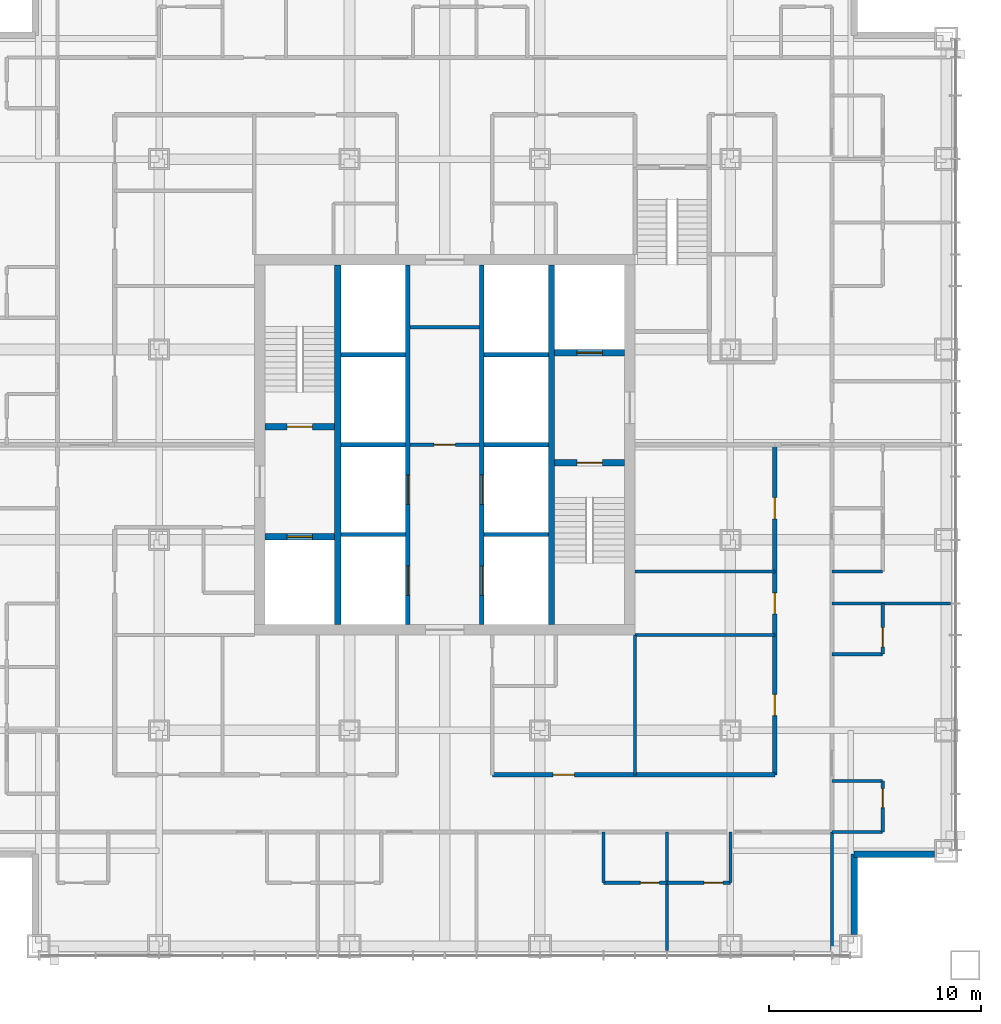
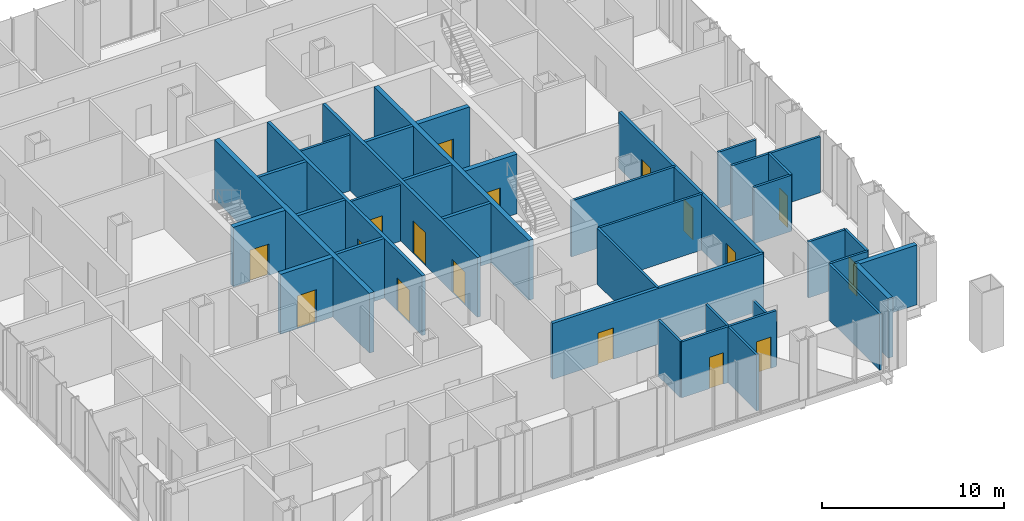
# One storey, part 10 of 16: 36 walls, 17 doors, 17 openings.
"""IFC4 building model written with IfcOpenShell, lengths in metres."""

from ifc_helpers import new_model, si_unit, direction, frame, frame_2d, origin, place, context, subcontext, project, spatial, rectangle, extrude, material, layer, layer_set, type_object, element, fill, save


model = new_model("IFC4")

# Units and contexts
model_context = context("Model", 3, precision=1e-05, world=origin(), true_north=direction((0.0, 1.0)))
body_context = subcontext(model_context, "Body", "Model", "MODEL_VIEW")
ifc_project = project(units=[si_unit("LENGTHUNIT", "METRE"), si_unit("AREAUNIT", "SQUARE_METRE"), si_unit("VOLUMEUNIT", "CUBIC_METRE"), si_unit("PLANEANGLEUNIT", "RADIAN"), si_unit("MASSUNIT", "GRAM", prefix="KILO")], contexts=[model_context])

# Site, building, storey
site_placement = place(None, origin())
site = spatial("IfcSite", under=ifc_project, at=site_placement, CompositionType="ELEMENT")
building_placement = place(site_placement, origin())
building = spatial("IfcBuilding", under=site, at=building_placement, Name="Malebo Sky Hospital", CompositionType="ELEMENT")
storey_placement = place(building_placement, frame((0.0, 0.0, 144.0)))
storey = spatial("IfcBuildingStorey", under=building, at=storey_placement, Name="L34", CompositionType="ELEMENT", Elevation=144.0)

# Wall, openings, doors
ifc_material_1 = material(Name="Concrete C80/95", Category="concrete")
ifc_layer_1 = layer(ifc_material_1, 0.199951171875)
ifc_layer_set_1 = layer_set([ifc_layer_1], Name="CORE INNER WALL 200")
wall_type_1 = type_object("IfcWallType", Name="CORE INNER WALL 200", PredefinedType="SHEAR", material=ifc_layer_set_1)
wall_1_placement = place(storey_placement, frame((58.25, 53.5, 0.0), z_axis=(0.0, 0.0, 1.0), x_axis=(0.0, 1.0, 0.0)))
wall_1 = element("IfcWall", 1, at=wall_1_placement, inside=storey, type_object=wall_type_1, Name="Core wall LW L34", PredefinedType="SHEAR", context=body_context, shape_type="SweptSolid", body=[
    extrude(rectangle(XDim=17.0, YDim=0.199951171875, at=frame_2d((8.5, 0.0))), origin(), (0.0, 0.0, 1.0), 4.0),
])
opening_1_placement = place(wall_1_placement, frame((1.375, 0.0, 0.0)))
opening_1 = element("IfcOpeningElement", 2, at=opening_1_placement, cuts=wall_1, Name="Opening LD1", PredefinedType="OPENING", context=body_context, shape_type="SweptSolid", body=[
    extrude(rectangle(XDim=1.39990234375, YDim=2.199951171875, at=frame_2d((0.699951171875, 1.10009765625))), frame((0.0, 0.10986328125, 0.0), z_axis=(0.0, -1.0, 0.0), x_axis=(1.0, 0.0, 0.0)), (0.0, 0.0, 1.0), 0.219970703125),
])
opening_2_placement = place(wall_1_placement, frame((5.675048828125, 0.0, 0.0)))
opening_2 = element("IfcOpeningElement", 3, at=opening_2_placement, cuts=wall_1, Name="Opening LD1", PredefinedType="OPENING", context=body_context, shape_type="SweptSolid", body=[
    extrude(rectangle(XDim=1.39990234375, YDim=2.199951171875, at=frame_2d((0.699951171875, 1.10009765625))), frame((0.0, 0.10986328125, 0.0), z_axis=(0.0, -1.0, 0.0), x_axis=(1.0, 0.0, 0.0)), (0.0, 0.0, 1.0), 0.219970703125),
])
ifc_material_2 = material(Name="Stainless steel sliding landing door", Category="steel")
door_type_1 = type_object("IfcDoorType", Name="LIFT LANDING DOOR 1400", OperationType="SLIDING_TO_LEFT", PredefinedType="DOOR", material=ifc_material_2)
door_1_placement = place(opening_1_placement, origin())
door_1 = element("IfcDoor", 4, at=door_1_placement, inside=storey, type_object=door_type_1, Name="Lift W1 landing door", OperationType="SLIDING_TO_LEFT", OverallHeight=2.199951171875, OverallWidth=1.39990234375, PredefinedType="DOOR", context=body_context, shape_type="SweptSolid", body=[
    extrude(rectangle(XDim=1.39990234375, YDim=2.199951171875, at=frame_2d((0.699951171875, 1.10009765625))), frame((0.0, 0.02490234375, 0.0), z_axis=(0.0, -1.0, 0.0), x_axis=(1.0, 0.0, 0.0)), (0.0, 0.0, 1.0), 0.050048828125),
])
fill(opening_1, door_1)
door_2_placement = place(opening_2_placement, origin())
door_2 = element("IfcDoor", 5, at=door_2_placement, inside=storey, type_object=door_type_1, Name="Lift W2 landing door", OperationType="SLIDING_TO_LEFT", OverallHeight=2.199951171875, OverallWidth=1.39990234375, PredefinedType="DOOR", context=body_context, shape_type="SweptSolid", body=[
    extrude(rectangle(XDim=1.39990234375, YDim=2.199951171875, at=frame_2d((0.699951171875, 1.10009765625))), frame((0.0, 0.02490234375, 0.0), z_axis=(0.0, -1.0, 0.0), x_axis=(1.0, 0.0, 0.0)), (0.0, 0.0, 1.0), 0.050048828125),
])
fill(opening_2, door_2)

wall_2_placement = place(storey_placement, frame((61.75, 53.5, 0.0), z_axis=(0.0, 0.0, 1.0), x_axis=(0.0, 1.0, 0.0)))
wall_2 = element("IfcWall", 6, at=wall_2_placement, inside=storey, type_object=wall_type_1, Name="Core wall LE L34", PredefinedType="SHEAR", context=body_context, shape_type="SweptSolid", body=[
    extrude(rectangle(XDim=17.0, YDim=0.199951171875, at=frame_2d((8.5, 0.0))), origin(), (0.0, 0.0, 1.0), 4.0),
])
opening_3_placement = place(wall_2_placement, frame((1.375, 0.0, 0.0)))
opening_3 = element("IfcOpeningElement", 7, at=opening_3_placement, cuts=wall_2, Name="Opening LD1", PredefinedType="OPENING", context=body_context, shape_type="SweptSolid", body=[
    extrude(rectangle(XDim=1.39990234375, YDim=2.199951171875, at=frame_2d((0.699951171875, 1.10009765625))), frame((0.0, 0.10986328125, 0.0), z_axis=(0.0, -1.0, 0.0), x_axis=(1.0, 0.0, 0.0)), (0.0, 0.0, 1.0), 0.219970703125),
])
opening_4_placement = place(wall_2_placement, frame((5.675048828125, 0.0, 0.0)))
opening_4 = element("IfcOpeningElement", 8, at=opening_4_placement, cuts=wall_2, Name="Opening LD1", PredefinedType="OPENING", context=body_context, shape_type="SweptSolid", body=[
    extrude(rectangle(XDim=1.39990234375, YDim=2.199951171875, at=frame_2d((0.699951171875, 1.10009765625))), frame((0.0, 0.10986328125, 0.0), z_axis=(0.0, -1.0, 0.0), x_axis=(1.0, 0.0, 0.0)), (0.0, 0.0, 1.0), 0.219970703125),
])
door_3_placement = place(opening_3_placement, origin())
door_3 = element("IfcDoor", 9, at=door_3_placement, inside=storey, type_object=door_type_1, Name="Lift E1 landing door", OperationType="SLIDING_TO_LEFT", OverallHeight=2.199951171875, OverallWidth=1.39990234375, PredefinedType="DOOR", context=body_context, shape_type="SweptSolid", body=[
    extrude(rectangle(XDim=1.39990234375, YDim=2.199951171875, at=frame_2d((0.699951171875, 1.10009765625))), frame((0.0, 0.02490234375, 0.0), z_axis=(0.0, -1.0, 0.0), x_axis=(1.0, 0.0, 0.0)), (0.0, 0.0, 1.0), 0.050048828125),
])
fill(opening_3, door_3)
door_4_placement = place(opening_4_placement, origin())
door_4 = element("IfcDoor", 10, at=door_4_placement, inside=storey, type_object=door_type_1, Name="Lift E2 landing door", OperationType="SLIDING_TO_LEFT", OverallHeight=2.199951171875, OverallWidth=1.39990234375, PredefinedType="DOOR", context=body_context, shape_type="SweptSolid", body=[
    extrude(rectangle(XDim=1.39990234375, YDim=2.199951171875, at=frame_2d((0.699951171875, 1.10009765625))), frame((0.0, 0.02490234375, 0.0), z_axis=(0.0, -1.0, 0.0), x_axis=(1.0, 0.0, 0.0)), (0.0, 0.0, 1.0), 0.050048828125),
])
fill(opening_4, door_4)

# Walls
for number, where, z_axis, x_axis, name in (
    (11, (55.10009765625, 57.75, 0.0), (0.0, 0.0, 1.0), (1.0, 0.0, 0.0), "Core wall SW0 L34"),
    (12, (61.85009765625, 57.75, 0.0), (0.0, 0.0, 1.0), (1.0, 0.0, 0.0), "Core wall SE0 L34"),
    (13, (55.10009765625, 62.0, 0.0), (0.0, 0.0, 1.0), (1.0, 0.0, 0.0), "Core wall SW1 L34"),
    (14, (61.85009765625, 62.0, 0.0), (0.0, 0.0, 1.0), (1.0, 0.0, 0.0), "Core wall SE1 L34"),
    (15, (55.10009765625, 66.25, 0.0), (0.0, 0.0, 1.0), (1.0, 0.0, 0.0), "Core wall SW2 L34"),
    (16, (61.85009765625, 66.25, 0.0), (0.0, 0.0, 1.0), (1.0, 0.0, 0.0), "Core wall SE2 L34"),
):
    element("IfcWall", number, at=place(storey_placement, frame(where, z_axis=z_axis, x_axis=x_axis)), inside=storey, type_object=wall_type_1, Name=name, PredefinedType="SHEAR", context=body_context, shape_type="SweptSolid", body=[
        extrude(rectangle(XDim=3.0498046875, YDim=0.199951171875, at=frame_2d((1.52490234375, 0.0))), origin(), (0.0, 0.0, 1.0), 4.0),
    ])
ifc_layer_2 = layer(ifc_material_1, 0.300048828125)
ifc_layer_set_2 = layer_set([ifc_layer_2], Name="CORE INNER WALL 300")
wall_type_2 = type_object("IfcWallType", Name="CORE INNER WALL 300", PredefinedType="SHEAR", material=ifc_layer_set_2)
for number, where, z_axis, x_axis, name in (
    (17, (54.949951171875, 53.5, 0.0), (0.0, 0.0, 1.0), (0.0, 1.0, 0.0), "Core wall XW L34"),
    (18, (65.050048828125, 53.5, 0.0), (0.0, 0.0, 1.0), (0.0, 1.0, 0.0), "Core wall XE L34"),
):
    element("IfcWall", number, at=place(storey_placement, frame(where, z_axis=z_axis, x_axis=x_axis)), inside=storey, type_object=wall_type_2, Name=name, PredefinedType="SHEAR", context=body_context, shape_type="SweptSolid", body=[
        extrude(rectangle(XDim=17.0, YDim=0.300048828125, at=frame_2d((8.5, 0.0))), origin(), (0.0, 0.0, 1.0), 4.0),
    ])

# Wall, opening, door
wall_3_placement = place(storey_placement, frame((51.5, 62.85009765625, 0.0), z_axis=(0.0, 0.0, 1.0), x_axis=(1.0, 0.0, 0.0)))
wall_3 = element("IfcWall", 19, at=wall_3_placement, inside=storey, type_object=wall_type_2, Name="Core wall W1 L34", PredefinedType="SHEAR", context=body_context, shape_type="SweptSolid", body=[
    extrude(rectangle(XDim=3.300048828125, YDim=0.300048828125, at=frame_2d((1.64990234375, 0.0))), origin(), (0.0, 0.0, 1.0), 4.0),
])
opening_5_placement = place(wall_3_placement, frame((1.050048828125, 0.0, 0.0)))
opening_5 = element("IfcOpeningElement", 20, at=opening_5_placement, cuts=wall_3, Name="Opening D08", PredefinedType="OPENING", context=body_context, shape_type="SweptSolid", body=[
    extrude(rectangle(XDim=1.199951171875, YDim=2.10009765625, at=frame_2d((0.60009765625, 1.050048828125))), frame((0.0, 0.159912109375, 0.0), z_axis=(0.0, -1.0, 0.0), x_axis=(1.0, 0.0, 0.0)), (0.0, 0.0, 1.0), 0.320068359375),
])
ifc_material_3 = material(Name="Hardwood-faced door leaf in steel frame", Category="steel")
door_type_2 = type_object("IfcDoorType", Name="STAIR DOOR 1200", OperationType="SINGLE_SWING_LEFT", PredefinedType="DOOR", material=ifc_material_3)
door_5_placement = place(opening_5_placement, origin())
door_5 = element("IfcDoor", 21, at=door_5_placement, inside=storey, type_object=door_type_2, Name="Stair S1 door", OperationType="SINGLE_SWING_LEFT", OverallHeight=2.10009765625, OverallWidth=1.199951171875, PredefinedType="DOOR", context=body_context, shape_type="SweptSolid", body=[
    extrude(rectangle(XDim=1.199951171875, YDim=2.10009765625, at=frame_2d((0.60009765625, 1.050048828125))), frame((0.0, 0.02490234375, 0.0), z_axis=(0.0, -1.0, 0.0), x_axis=(1.0, 0.0, 0.0)), (0.0, 0.0, 1.0), 0.050048828125),
])
fill(opening_5, door_5)

wall_4_placement = place(storey_placement, frame((51.5, 57.64990234375, 0.0), z_axis=(0.0, 0.0, 1.0), x_axis=(1.0, 0.0, 0.0)))
wall_4 = element("IfcWall", 22, at=wall_4_placement, inside=storey, type_object=wall_type_2, Name="Core wall W2 L34", PredefinedType="SHEAR", context=body_context, shape_type="SweptSolid", body=[
    extrude(rectangle(XDim=3.300048828125, YDim=0.300048828125, at=frame_2d((1.64990234375, 0.0))), origin(), (0.0, 0.0, 1.0), 4.0),
])
opening_6_placement = place(wall_4_placement, frame((1.050048828125, 0.0, 0.0)))
opening_6 = element("IfcOpeningElement", 23, at=opening_6_placement, cuts=wall_4, Name="Opening LD2", PredefinedType="OPENING", context=body_context, shape_type="SweptSolid", body=[
    extrude(rectangle(XDim=1.199951171875, YDim=2.199951171875, at=frame_2d((0.60009765625, 1.10009765625))), frame((0.0, 0.159912109375, 0.0), z_axis=(0.0, -1.0, 0.0), x_axis=(1.0, 0.0, 0.0)), (0.0, 0.0, 1.0), 0.320068359375),
])
door_type_3 = type_object("IfcDoorType", Name="FIRE-FIGHTING LIFT LANDING DOOR 1200", OperationType="SLIDING_TO_LEFT", PredefinedType="DOOR", material=ifc_material_2)
door_6_placement = place(opening_6_placement, origin())
door_6 = element("IfcDoor", 24, at=door_6_placement, inside=storey, type_object=door_type_3, Name="Lift FL1 landing door", OperationType="SLIDING_TO_LEFT", OverallHeight=2.199951171875, OverallWidth=1.199951171875, PredefinedType="DOOR", context=body_context, shape_type="SweptSolid", body=[
    extrude(rectangle(XDim=1.199951171875, YDim=2.199951171875, at=frame_2d((0.60009765625, 1.10009765625))), frame((0.0, 0.02490234375, 0.0), z_axis=(0.0, -1.0, 0.0), x_axis=(1.0, 0.0, 0.0)), (0.0, 0.0, 1.0), 0.050048828125),
])
fill(opening_6, door_6)

wall_5_placement = place(storey_placement, frame((65.199951171875, 61.14990234375, 0.0), z_axis=(0.0, 0.0, 1.0), x_axis=(1.0, 0.0, 0.0)))
wall_5 = element("IfcWall", 25, at=wall_5_placement, inside=storey, type_object=wall_type_2, Name="Core wall E1 L34", PredefinedType="SHEAR", context=body_context, shape_type="SweptSolid", body=[
    extrude(rectangle(XDim=3.300048828125, YDim=0.300048828125, at=frame_2d((1.64990234375, 0.0))), origin(), (0.0, 0.0, 1.0), 4.0),
])
opening_7_placement = place(wall_5_placement, frame((1.050048828125, 0.0, 0.0)))
opening_7 = element("IfcOpeningElement", 26, at=opening_7_placement, cuts=wall_5, Name="Opening D08", PredefinedType="OPENING", context=body_context, shape_type="SweptSolid", body=[
    extrude(rectangle(XDim=1.199951171875, YDim=2.10009765625, at=frame_2d((0.60009765625, 1.050048828125))), frame((0.0, 0.159912109375, 0.0), z_axis=(0.0, -1.0, 0.0), x_axis=(1.0, 0.0, 0.0)), (0.0, 0.0, 1.0), 0.320068359375),
])
door_7_placement = place(opening_7_placement, origin())
door_7 = element("IfcDoor", 27, at=door_7_placement, inside=storey, type_object=door_type_2, Name="Stair S2 door", OperationType="SINGLE_SWING_LEFT", OverallHeight=2.10009765625, OverallWidth=1.199951171875, PredefinedType="DOOR", context=body_context, shape_type="SweptSolid", body=[
    extrude(rectangle(XDim=1.199951171875, YDim=2.10009765625, at=frame_2d((0.60009765625, 1.050048828125))), frame((0.0, 0.02490234375, 0.0), z_axis=(0.0, -1.0, 0.0), x_axis=(1.0, 0.0, 0.0)), (0.0, 0.0, 1.0), 0.050048828125),
])
fill(opening_7, door_7)

wall_6_placement = place(storey_placement, frame((65.199951171875, 66.35009765625, 0.0), z_axis=(0.0, 0.0, 1.0), x_axis=(1.0, 0.0, 0.0)))
wall_6 = element("IfcWall", 28, at=wall_6_placement, inside=storey, type_object=wall_type_2, Name="Core wall E2 L34", PredefinedType="SHEAR", context=body_context, shape_type="SweptSolid", body=[
    extrude(rectangle(XDim=3.300048828125, YDim=0.300048828125, at=frame_2d((1.64990234375, 0.0))), origin(), (0.0, 0.0, 1.0), 4.0),
])
opening_8_placement = place(wall_6_placement, frame((1.050048828125, 0.0, 0.0)))
opening_8 = element("IfcOpeningElement", 29, at=opening_8_placement, cuts=wall_6, Name="Opening LD2", PredefinedType="OPENING", context=body_context, shape_type="SweptSolid", body=[
    extrude(rectangle(XDim=1.199951171875, YDim=2.199951171875, at=frame_2d((0.60009765625, 1.10009765625))), frame((0.0, 0.159912109375, 0.0), z_axis=(0.0, -1.0, 0.0), x_axis=(1.0, 0.0, 0.0)), (0.0, 0.0, 1.0), 0.320068359375),
])
door_8_placement = place(opening_8_placement, origin())
door_8 = element("IfcDoor", 30, at=door_8_placement, inside=storey, type_object=door_type_3, Name="Lift FL2 landing door", OperationType="SLIDING_TO_LEFT", OverallHeight=2.199951171875, OverallWidth=1.199951171875, PredefinedType="DOOR", context=body_context, shape_type="SweptSolid", body=[
    extrude(rectangle(XDim=1.199951171875, YDim=2.199951171875, at=frame_2d((0.60009765625, 1.10009765625))), frame((0.0, 0.02490234375, 0.0), z_axis=(0.0, -1.0, 0.0), x_axis=(1.0, 0.0, 0.0)), (0.0, 0.0, 1.0), 0.050048828125),
])
fill(opening_8, door_8)

ifc_material_4 = material(Name="Gypsum board on steel studs", Category="steel")
ifc_layer_3 = layer(ifc_material_4, 0.199951171875)
ifc_layer_set_3 = layer_set([ifc_layer_3], Name="CORRIDOR WALL 200")
wall_type_3 = type_object("IfcWallType", Name="CORRIDOR WALL 200", PredefinedType="PARTITIONING", material=ifc_layer_set_3)
wall_7_placement = place(storey_placement, frame((75.60009765625, 46.39990234375, 0.0), z_axis=(0.0, 0.0, 1.0), x_axis=(-1.0, 0.0, 0.0)))
wall_7 = element("IfcWall", 31, at=wall_7_placement, inside=storey, type_object=wall_type_3, Name="Corridor Wall 200 SCI1", PredefinedType="PARTITIONING", context=body_context, shape_type="SweptSolid", body=[
    extrude(rectangle(XDim=13.35009765625, YDim=0.199951171875, at=frame_2d((6.675048828125, 0.0))), origin(), (0.0, 0.0, 1.0), 3.75),
])
opening_9_placement = place(wall_7_placement, frame((9.47509765625, 0.0, 0.0)))
opening_9 = element("IfcOpeningElement", 32, at=opening_9_placement, cuts=wall_7, Name="Opening D03", PredefinedType="OPENING", context=body_context, shape_type="SweptSolid", body=[
    extrude(rectangle(XDim=1.0, YDim=2.10009765625, at=frame_2d((0.5, 1.050048828125))), frame((0.0, 0.10986328125, 0.0), z_axis=(0.0, -1.0, 0.0), x_axis=(1.0, 0.0, 0.0)), (0.0, 0.0, 1.0), 0.219970703125),
])
door_type_4 = type_object("IfcDoorType", Name="ROOM DOOR 1000", OperationType="SINGLE_SWING_LEFT", PredefinedType="DOOR", material=ifc_material_3)
door_9_placement = place(opening_9_placement, origin())
door_9 = element("IfcDoor", 33, at=door_9_placement, inside=storey, type_object=door_type_4, Name="Staff base door", OperationType="SINGLE_SWING_LEFT", OverallHeight=2.10009765625, OverallWidth=1.0, PredefinedType="DOOR", context=body_context, shape_type="SweptSolid", body=[
    extrude(rectangle(XDim=1.0, YDim=2.10009765625, at=frame_2d((0.5, 1.050048828125))), frame((0.0, 0.02490234375, 0.0), z_axis=(0.0, -1.0, 0.0), x_axis=(1.0, 0.0, 0.0)), (0.0, 0.0, 1.0), 0.050048828125),
])
fill(opening_9, door_9)

# Wall, openings, doors
wall_8_placement = place(storey_placement, frame((75.60009765625, 62.0, 0.0), z_axis=(0.0, 0.0, 1.0), x_axis=(0.0, -1.0, 0.0)))
wall_8 = element("IfcWall", 34, at=wall_8_placement, inside=storey, type_object=wall_type_3, Name="Corridor Wall 200 ECI2", PredefinedType="PARTITIONING", context=body_context, shape_type="SweptSolid", body=[
    extrude(rectangle(XDim=15.60009765625, YDim=0.199951171875, at=frame_2d((7.800048828125, 0.0))), origin(), (0.0, 0.0, 1.0), 3.75),
])
opening_10_placement = place(wall_8_placement, frame((2.5, 0.0, 0.0)))
opening_10 = element("IfcOpeningElement", 35, at=opening_10_placement, cuts=wall_8, Name="Opening D03", PredefinedType="OPENING", context=body_context, shape_type="SweptSolid", body=[
    extrude(rectangle(XDim=1.0, YDim=2.10009765625, at=frame_2d((0.5, 1.050048828125))), frame((0.0, 0.10986328125, 0.0), z_axis=(0.0, -1.0, 0.0), x_axis=(1.0, 0.0, 0.0)), (0.0, 0.0, 1.0), 0.219970703125),
])
opening_11_placement = place(wall_8_placement, frame((7.0, 0.0, 0.0)))
opening_11 = element("IfcOpeningElement", 36, at=opening_11_placement, cuts=wall_8, Name="Opening D03", PredefinedType="OPENING", context=body_context, shape_type="SweptSolid", body=[
    extrude(rectangle(XDim=1.0, YDim=2.10009765625, at=frame_2d((0.5, 1.050048828125))), frame((0.0, 0.10986328125, 0.0), z_axis=(0.0, -1.0, 0.0), x_axis=(1.0, 0.0, 0.0)), (0.0, 0.0, 1.0), 0.219970703125),
])
opening_12_placement = place(wall_8_placement, frame((11.800048828125, 0.0, 0.0)))
opening_12 = element("IfcOpeningElement", 37, at=opening_12_placement, cuts=wall_8, Name="Opening D03", PredefinedType="OPENING", context=body_context, shape_type="SweptSolid", body=[
    extrude(rectangle(XDim=1.0, YDim=2.10009765625, at=frame_2d((0.5, 1.050048828125))), frame((0.0, 0.10986328125, 0.0), z_axis=(0.0, -1.0, 0.0), x_axis=(1.0, 0.0, 0.0)), (0.0, 0.0, 1.0), 0.219970703125),
])
door_10_placement = place(opening_10_placement, origin())
door_10 = element("IfcDoor", 38, at=door_10_placement, inside=storey, type_object=door_type_4, Name="Consulting room door", OperationType="SINGLE_SWING_LEFT", OverallHeight=2.10009765625, OverallWidth=1.0, PredefinedType="DOOR", context=body_context, shape_type="SweptSolid", body=[
    extrude(rectangle(XDim=1.0, YDim=2.10009765625, at=frame_2d((0.5, 1.050048828125))), frame((0.0, 0.02490234375, 0.0), z_axis=(0.0, -1.0, 0.0), x_axis=(1.0, 0.0, 0.0)), (0.0, 0.0, 1.0), 0.050048828125),
])
fill(opening_10, door_10)
door_11_placement = place(opening_11_placement, origin())
door_11 = element("IfcDoor", 39, at=door_11_placement, inside=storey, type_object=door_type_4, Name="Linen store door", OperationType="SINGLE_SWING_LEFT", OverallHeight=2.10009765625, OverallWidth=1.0, PredefinedType="DOOR", context=body_context, shape_type="SweptSolid", body=[
    extrude(rectangle(XDim=1.0, YDim=2.10009765625, at=frame_2d((0.5, 1.050048828125))), frame((0.0, 0.02490234375, 0.0), z_axis=(0.0, -1.0, 0.0), x_axis=(1.0, 0.0, 0.0)), (0.0, 0.0, 1.0), 0.050048828125),
])
fill(opening_11, door_11)
door_12_placement = place(opening_12_placement, origin())
door_12 = element("IfcDoor", 40, at=door_12_placement, inside=storey, type_object=door_type_4, Name="Treatment room door", OperationType="SINGLE_SWING_RIGHT", OverallHeight=2.10009765625, OverallWidth=1.0, PredefinedType="DOOR", context=body_context, shape_type="SweptSolid", body=[
    extrude(rectangle(XDim=1.0, YDim=2.10009765625, at=frame_2d((0.5, 1.050048828125))), frame((0.0, 0.02490234375, 0.0), z_axis=(0.0, -1.0, 0.0), x_axis=(1.0, 0.0, 0.0)), (0.0, 0.0, 1.0), 0.050048828125),
])
fill(opening_12, door_12)

# Walls
ifc_material_5 = material(Name="Anodised aluminium rainscreen on steel framing", Category="steel")
ifc_layer_4 = layer(ifc_material_5, 0.300048828125)
ifc_layer_set_4 = layer_set([ifc_layer_4], Name="NOTCH RAINSCREEN WALL 300")
wall_type_4 = type_object("IfcWallType", Name="NOTCH RAINSCREEN WALL 300", PredefinedType="ELEMENTEDWALL", material=ifc_layer_set_4)
for number, where, z_axis, x_axis, name in (
    (41, (83.14990234375, 42.64990234375, 0.0), (0.0, 0.0, 1.0), (-1.0, 0.0, 0.0), "Notch rainscreen wall E1 L34"),
    (42, (79.35009765625, 42.64990234375, 0.0), (0.0, 0.0, 1.0), (0.0, -1.0, 0.0), "Notch rainscreen wall E2 L34"),
):
    element("IfcWall", number, at=place(storey_placement, frame(where, z_axis=z_axis, x_axis=x_axis)), inside=storey, type_object=wall_type_4, Name=name, PredefinedType="ELEMENTEDWALL", context=body_context, shape_type="SweptSolid", body=[
        extrude(rectangle(XDim=3.7998046875, YDim=0.300048828125, at=frame_2d((1.89990234375, 0.0))), origin(), (0.0, 0.0, 1.0), 4.0),
    ])
ifc_layer_5 = layer(ifc_material_4, 0.14990234375)
ifc_layer_set_5 = layer_set([ifc_layer_5], Name="PARTITION 150")
wall_type_5 = type_object("IfcWallType", Name="PARTITION 150", PredefinedType="PARTITIONING", material=ifc_layer_set_5)
for number, where, z_axis, x_axis, name in (
    (43, (70.5, 43.699951171875, 0.0), (0.0, 0.0, 1.0), (0.0, -1.0, 0.0), "Partition 150 SP-10.5"),
    (44, (78.300048828125, 43.699951171875, 0.0), (0.0, 0.0, 1.0), (0.0, -1.0, 0.0), "Partition 150 SP0"),
):
    element("IfcWall", number, at=place(storey_placement, frame(where, z_axis=z_axis, x_axis=x_axis)), inside=storey, type_object=wall_type_5, Name=name, PredefinedType="PARTITIONING", context=body_context, shape_type="SweptSolid", body=[
        extrude(rectangle(XDim=5.60986328125, YDim=0.14990234375, at=frame_2d((2.804931640625, 0.0))), origin(), (0.0, 0.0, 1.0), 3.75),
    ])

# Wall, opening, door
wall_9_placement = place(storey_placement, frame((73.5, 41.300048828125, 0.0), z_axis=(0.0, 0.0, 1.0), x_axis=(-1.0, 0.0, 0.0)))
wall_9 = element("IfcWall", 45, at=wall_9_placement, inside=storey, type_object=wall_type_5, Name="Partition 150 SE0F", PredefinedType="PARTITIONING", context=body_context, shape_type="SweptSolid", body=[
    extrude(rectangle(XDim=3.0, YDim=0.14990234375, at=frame_2d((1.5, 0.0))), origin(), (0.0, 0.0, 1.0), 3.75),
])
opening_13_placement = place(wall_9_placement, frame((0.35009765625, 0.0, 0.0)))
opening_13 = element("IfcOpeningElement", 46, at=opening_13_placement, cuts=wall_9, Name="Opening D02", PredefinedType="OPENING", context=body_context, shape_type="SweptSolid", body=[
    extrude(rectangle(XDim=0.89990234375, YDim=2.10009765625, at=frame_2d((0.449951171875, 1.050048828125))), frame((0.0, 0.0849609375, 0.0), z_axis=(0.0, -1.0, 0.0), x_axis=(1.0, 0.0, 0.0)), (0.0, 0.0, 1.0), 0.169921875),
])
door_type_5 = type_object("IfcDoorType", Name="EN-SUITE DOOR 900", OperationType="SINGLE_SWING_LEFT", PredefinedType="DOOR", material=ifc_material_3)
door_13_placement = place(opening_13_placement, origin())
door_13 = element("IfcDoor", 47, at=door_13_placement, inside=storey, type_object=door_type_5, Name="En-suite door", OperationType="SINGLE_SWING_LEFT", OverallHeight=2.10009765625, OverallWidth=0.89990234375, PredefinedType="DOOR", context=body_context, shape_type="SweptSolid", body=[
    extrude(rectangle(XDim=0.89990234375, YDim=2.10009765625, at=frame_2d((0.449951171875, 1.050048828125))), frame((0.0, 0.02490234375, 0.0), z_axis=(0.0, -1.0, 0.0), x_axis=(1.0, 0.0, 0.0)), (0.0, 0.0, 1.0), 0.050048828125),
])
fill(opening_13, door_13)

# Wall
wall_10_placement = place(storey_placement, frame((73.5, 43.699951171875, 0.0), z_axis=(0.0, 0.0, 1.0), x_axis=(0.0, -1.0, 0.0)))
element("IfcWall", 48, at=wall_10_placement, inside=storey, type_object=wall_type_5, Name="Partition 150 SE0S", PredefinedType="PARTITIONING", context=body_context, shape_type="SweptSolid", body=[
    extrude(rectangle(XDim=2.39990234375, YDim=0.14990234375, at=frame_2d((1.199951171875, 0.0))), origin(), (0.0, 0.0, 1.0), 2.949951171875),
])

# Wall, opening, door
wall_11_placement = place(storey_placement, frame((70.5, 41.300048828125, 0.0), z_axis=(0.0, 0.0, 1.0), x_axis=(-1.0, 0.0, 0.0)))
wall_11 = element("IfcWall", 49, at=wall_11_placement, inside=storey, type_object=wall_type_5, Name="Partition 150 SE1F", PredefinedType="PARTITIONING", context=body_context, shape_type="SweptSolid", body=[
    extrude(rectangle(XDim=3.0, YDim=0.14990234375, at=frame_2d((1.5, 0.0))), origin(), (0.0, 0.0, 1.0), 3.75),
])
opening_14_placement = place(wall_11_placement, frame((0.35009765625, 0.0, 0.0)))
opening_14 = element("IfcOpeningElement", 50, at=opening_14_placement, cuts=wall_11, Name="Opening D02", PredefinedType="OPENING", context=body_context, shape_type="SweptSolid", body=[
    extrude(rectangle(XDim=0.89990234375, YDim=2.10009765625, at=frame_2d((0.449951171875, 1.050048828125))), frame((0.0, 0.0849609375, 0.0), z_axis=(0.0, -1.0, 0.0), x_axis=(1.0, 0.0, 0.0)), (0.0, 0.0, 1.0), 0.169921875),
])
door_14_placement = place(opening_14_placement, origin())
door_14 = element("IfcDoor", 51, at=door_14_placement, inside=storey, type_object=door_type_5, Name="En-suite door", OperationType="SINGLE_SWING_LEFT", OverallHeight=2.10009765625, OverallWidth=0.89990234375, PredefinedType="DOOR", context=body_context, shape_type="SweptSolid", body=[
    extrude(rectangle(XDim=0.89990234375, YDim=2.10009765625, at=frame_2d((0.449951171875, 1.050048828125))), frame((0.0, 0.02490234375, 0.0), z_axis=(0.0, -1.0, 0.0), x_axis=(1.0, 0.0, 0.0)), (0.0, 0.0, 1.0), 0.050048828125),
])
fill(opening_14, door_14)

# Walls
wall_12_placement = place(storey_placement, frame((67.5, 43.699951171875, 0.0), z_axis=(0.0, 0.0, 1.0), x_axis=(0.0, -1.0, 0.0)))
element("IfcWall", 52, at=wall_12_placement, inside=storey, type_object=wall_type_5, Name="Partition 150 SE1S", PredefinedType="PARTITIONING", context=body_context, shape_type="SweptSolid", body=[
    extrude(rectangle(XDim=2.39990234375, YDim=0.14990234375, at=frame_2d((1.199951171875, 0.0))), origin(), (0.0, 0.0, 1.0), 3.75),
])
wall_13_placement = place(storey_placement, frame((69.0, 53.0, 0.0), z_axis=(0.0, 0.0, 1.0), x_axis=(0.0, -1.0, 0.0)))
element("IfcWall", 53, at=wall_13_placement, inside=storey, type_object=wall_type_5, Name="Partition 150 SSP0", PredefinedType="PARTITIONING", context=body_context, shape_type="SweptSolid", body=[
    extrude(rectangle(XDim=6.60009765625, YDim=0.14990234375, at=frame_2d((3.300048828125, 0.0))), origin(), (0.0, 0.0, 1.0), 3.75),
])
wall_14_placement = place(storey_placement, frame((78.300048828125, 54.5, 0.0), z_axis=(0.0, 0.0, 1.0), x_axis=(1.0, 0.0, 0.0)))
element("IfcWall", 54, at=wall_14_placement, inside=storey, type_object=wall_type_5, Name="Partition 150 EP+7.5", PredefinedType="PARTITIONING", context=body_context, shape_type="SweptSolid", body=[
    extrude(rectangle(XDim=5.60986328125, YDim=0.14990234375, at=frame_2d((2.804931640625, 0.0))), origin(), (0.0, 0.0, 1.0), 3.75),
])

# Wall, opening, door
wall_15_placement = place(storey_placement, frame((80.699951171875, 46.10009765625, 0.0), z_axis=(0.0, 0.0, 1.0), x_axis=(0.0, -1.0, 0.0)))
wall_15 = element("IfcWall", 55, at=wall_15_placement, inside=storey, type_object=wall_type_5, Name="Partition 150 EE4F", PredefinedType="PARTITIONING", context=body_context, shape_type="SweptSolid", body=[
    extrude(rectangle(XDim=2.400146484375, YDim=0.14990234375, at=frame_2d((1.2001953125, 0.0))), origin(), (0.0, 0.0, 1.0), 3.75),
])
opening_15_placement = place(wall_15_placement, frame((0.35009765625, 0.0, 0.0)))
opening_15 = element("IfcOpeningElement", 56, at=opening_15_placement, cuts=wall_15, Name="Opening D02", PredefinedType="OPENING", context=body_context, shape_type="SweptSolid", body=[
    extrude(rectangle(XDim=0.89990234375, YDim=2.10009765625, at=frame_2d((0.449951171875, 1.050048828125))), frame((0.0, 0.0849609375, 0.0), z_axis=(0.0, -1.0, 0.0), x_axis=(1.0, 0.0, 0.0)), (0.0, 0.0, 1.0), 0.169921875),
])
door_15_placement = place(opening_15_placement, origin())
door_15 = element("IfcDoor", 57, at=door_15_placement, inside=storey, type_object=door_type_5, Name="En-suite door", OperationType="SINGLE_SWING_LEFT", OverallHeight=2.10009765625, OverallWidth=0.89990234375, PredefinedType="DOOR", context=body_context, shape_type="SweptSolid", body=[
    extrude(rectangle(XDim=0.89990234375, YDim=2.10009765625, at=frame_2d((0.449951171875, 1.050048828125))), frame((0.0, 0.02490234375, 0.0), z_axis=(0.0, -1.0, 0.0), x_axis=(1.0, 0.0, 0.0)), (0.0, 0.0, 1.0), 0.050048828125),
])
fill(opening_15, door_15)

# Wall
wall_16_placement = place(storey_placement, frame((78.300048828125, 46.10009765625, 0.0), z_axis=(0.0, 0.0, 1.0), x_axis=(1.0, 0.0, 0.0)))
element("IfcWall", 58, at=wall_16_placement, inside=storey, type_object=wall_type_5, Name="Partition 150 EE4S", PredefinedType="PARTITIONING", context=body_context, shape_type="SweptSolid", body=[
    extrude(rectangle(XDim=2.39990234375, YDim=0.14990234375, at=frame_2d((1.199951171875, 0.0))), origin(), (0.0, 0.0, 1.0), 3.75),
])

# Wall, opening, door
wall_17_placement = place(storey_placement, frame((80.699951171875, 54.5, 0.0), z_axis=(0.0, 0.0, 1.0), x_axis=(0.0, -1.0, 0.0)))
wall_17 = element("IfcWall", 59, at=wall_17_placement, inside=storey, type_object=wall_type_5, Name="Partition 150 EG4F", PredefinedType="PARTITIONING", context=body_context, shape_type="SweptSolid", body=[
    extrude(rectangle(XDim=2.39990234375, YDim=0.14990234375, at=frame_2d((1.199951171875, 0.0))), origin(), (0.0, 0.0, 1.0), 3.75),
])
opening_16_placement = place(wall_17_placement, frame((1.14990234375, 0.0, 0.0)))
opening_16 = element("IfcOpeningElement", 60, at=opening_16_placement, cuts=wall_17, Name="Opening D02", PredefinedType="OPENING", context=body_context, shape_type="SweptSolid", body=[
    extrude(rectangle(XDim=0.89990234375, YDim=2.10009765625, at=frame_2d((0.449951171875, 1.050048828125))), frame((0.0, 0.0849609375, 0.0), z_axis=(0.0, -1.0, 0.0), x_axis=(1.0, 0.0, 0.0)), (0.0, 0.0, 1.0), 0.169921875),
])
door_16_placement = place(opening_16_placement, origin())
door_16 = element("IfcDoor", 61, at=door_16_placement, inside=storey, type_object=door_type_5, Name="En-suite door", OperationType="SINGLE_SWING_RIGHT", OverallHeight=2.10009765625, OverallWidth=0.89990234375, PredefinedType="DOOR", context=body_context, shape_type="SweptSolid", body=[
    extrude(rectangle(XDim=0.89990234375, YDim=2.10009765625, at=frame_2d((0.449951171875, 1.050048828125))), frame((0.0, 0.02490234375, 0.0), z_axis=(0.0, -1.0, 0.0), x_axis=(1.0, 0.0, 0.0)), (0.0, 0.0, 1.0), 0.050048828125),
])
fill(opening_16, door_16)

# Walls
for number, where, z_axis, x_axis, name in (
    (62, (78.300048828125, 52.10009765625, 0.0), (0.0, 0.0, 1.0), (1.0, 0.0, 0.0), "Partition 150 EG4S"),
    (63, (78.300048828125, 43.699951171875, 0.0), (0.0, 0.0, 1.0), (1.0, 0.0, 0.0), "Partition 150 EEZ"),
):
    element("IfcWall", number, at=place(storey_placement, frame(where, z_axis=z_axis, x_axis=x_axis)), inside=storey, type_object=wall_type_5, Name=name, PredefinedType="PARTITIONING", context=body_context, shape_type="SweptSolid", body=[
        extrude(rectangle(XDim=2.39990234375, YDim=0.14990234375, at=frame_2d((1.199951171875, 0.0))), origin(), (0.0, 0.0, 1.0), 3.75),
    ])
for number, where, z_axis, x_axis, name in (
    (64, (69.0, 56.0, 0.0), (0.0, 0.0, 1.0), (1.0, 0.0, 0.0), "Partition 150 ESP+6.0"),
    (65, (69.0, 53.0, 0.0), (0.0, 0.0, 1.0), (1.0, 0.0, 0.0), "Partition 150 ESP+9.0"),
):
    element("IfcWall", number, at=place(storey_placement, frame(where, z_axis=z_axis, x_axis=x_axis)), inside=storey, type_object=wall_type_5, Name=name, PredefinedType="PARTITIONING", context=body_context, shape_type="SweptSolid", body=[
        extrude(rectangle(XDim=6.60009765625, YDim=0.14990234375, at=frame_2d((3.300048828125, 0.0))), origin(), (0.0, 0.0, 1.0), 3.75),
    ])

# Wall, opening, door
wall_18_placement = place(storey_placement, frame((58.35009765625, 62.0, 0.0), z_axis=(0.0, 0.0, 1.0), x_axis=(1.0, 0.0, 0.0)))
wall_18 = element("IfcWall", 66, at=wall_18_placement, inside=storey, type_object=wall_type_5, Name="Partition 150 LBN", PredefinedType="PARTITIONING", context=body_context, shape_type="SweptSolid", body=[
    extrude(rectangle(XDim=3.2998046875, YDim=0.14990234375, at=frame_2d((1.64990234375, 0.0))), origin(), (0.0, 0.0, 1.0), 3.75),
])
opening_17_placement = place(wall_18_placement, frame((1.14990234375, 0.0, 0.0)))
opening_17 = element("IfcOpeningElement", 67, at=opening_17_placement, cuts=wall_18, Name="Opening D03", PredefinedType="OPENING", context=body_context, shape_type="SweptSolid", body=[
    extrude(rectangle(XDim=1.0, YDim=2.10009765625, at=frame_2d((0.5, 1.050048828125))), frame((0.0, 0.0849609375, 0.0), z_axis=(0.0, -1.0, 0.0), x_axis=(1.0, 0.0, 0.0)), (0.0, 0.0, 1.0), 0.169921875),
])
door_17_placement = place(opening_17_placement, origin())
door_17 = element("IfcDoor", 68, at=door_17_placement, inside=storey, type_object=door_type_4, Name="Housekeeping store door", OperationType="SINGLE_SWING_LEFT", OverallHeight=2.10009765625, OverallWidth=1.0, PredefinedType="DOOR", context=body_context, shape_type="SweptSolid", body=[
    extrude(rectangle(XDim=1.0, YDim=2.10009765625, at=frame_2d((0.5, 1.050048828125))), frame((0.0, 0.02490234375, 0.0), z_axis=(0.0, -1.0, 0.0), x_axis=(1.0, 0.0, 0.0)), (0.0, 0.0, 1.0), 0.050048828125),
])
fill(opening_17, door_17)

# Walls
wall_19_placement = place(storey_placement, frame((58.35009765625, 67.55126953125, 0.0), z_axis=(0.0, 0.0, 1.0), x_axis=(1.0, 0.0, 0.0)))
element("IfcWall", 69, at=wall_19_placement, inside=storey, type_object=wall_type_5, Name="Partition 150 LBN1", PredefinedType="PARTITIONING", context=body_context, shape_type="SweptSolid", body=[
    extrude(rectangle(XDim=3.2998046875, YDim=0.14990234375, at=frame_2d((1.64990234375, 0.0))), origin(), (0.0, 0.0, 1.0), 3.75),
])
ifc_material_6 = material(Name="Sealed gypsum board on steel studs, taped to the slab", Category="steel")
ifc_layer_6 = layer(ifc_material_6, 0.14990234375)
ifc_layer_set_6 = layer_set([ifc_layer_6], Name="SEALED ISOLATION PARTITION 150")
wall_type_6 = type_object("IfcWallType", Name="SEALED ISOLATION PARTITION 150", PredefinedType="PARTITIONING", material=ifc_layer_set_6)
wall_20_placement = place(storey_placement, frame((78.300048828125, 56.0, 0.0), z_axis=(0.0, 0.0, 1.0), x_axis=(1.0, 0.0, 0.0)))
element("IfcWall", 70, at=wall_20_placement, inside=storey, type_object=wall_type_6, Name="Sealed Isolation Partition 150 EA3S", PredefinedType="PARTITIONING", context=body_context, shape_type="SweptSolid", body=[
    extrude(rectangle(XDim=2.39990234375, YDim=0.14990234375, at=frame_2d((1.199951171875, 0.0))), origin(), (0.0, 0.0, 1.0), 3.75),
])

save(model, "model.ifc")
